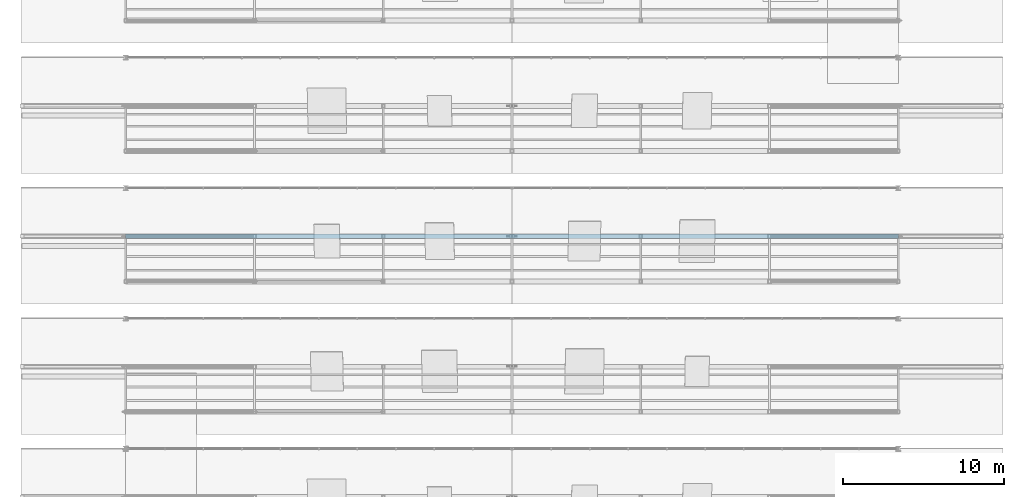
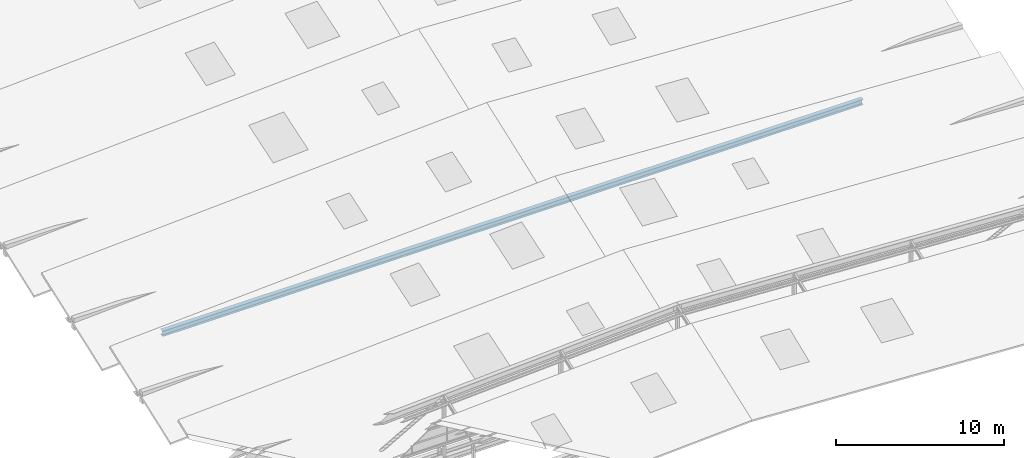
# One storey, part 44 of 141: 1 member.
"""IFC4 building model written with IfcOpenShell, lengths in metres."""

from ifc_helpers import new_model, si_unit, direction, frame, origin, origin_2d, place, context, subcontext, project, spatial, i_section, extrude, material, material_profile, profile_set, type_object, element, save


model = new_model("IFC4")

# Units and contexts
model_context = context("Model", 3, precision=1e-05, world=origin(), true_north=direction((0.0, 1.0)))
body_context = subcontext(model_context, "Body", "Model", "MODEL_VIEW")
ifc_project = project(units=[si_unit("LENGTHUNIT", "METRE"), si_unit("AREAUNIT", "SQUARE_METRE"), si_unit("VOLUMEUNIT", "CUBIC_METRE"), si_unit("PLANEANGLEUNIT", "RADIAN"), si_unit("MASSUNIT", "GRAM", prefix="KILO")], contexts=[model_context])

# Site, building, storey
site_placement = place(None, origin())
site = spatial("IfcSite", under=ifc_project, at=site_placement, CompositionType="ELEMENT")
building_placement = place(site_placement, origin())
building = spatial("IfcBuilding", under=site, at=building_placement, Name="Sundkrona Museum", CompositionType="ELEMENT")
storey_placement = place(building_placement, frame((0.0, 0.0, 34.0)))
storey = spatial("IfcBuildingStorey", under=building, at=storey_placement, Name="RF", CompositionType="ELEMENT", Elevation=34.0)

# Member
ifc_material = material(Name="Steel S355J2", Category="steel")
ifc_material_profile = material_profile(ifc_material, i_section(OverallWidth=0.300048828125, OverallDepth=0.39990234375, WebThickness=0.013427734375, FlangeThickness=0.02392578125, FilletRadius=0.027099609375, at=origin_2d()), Name="HEB 400")
ifc_profile_set = profile_set([ifc_material_profile], Name="Steel S355J2")
member_type = type_object("IfcMemberType", Name="TC-HEB400", PredefinedType="CHORD", material=ifc_profile_set)
member_placement = place(storey_placement, frame((120.0, 23.5, -0.25), z_axis=(1.0, 0.0, 0.0), x_axis=(0.0, 1.0, 0.0)))
element("IfcMember", 1, at=member_placement, inside=storey, type_object=member_type, Name="RFS-1 Sawtooth Truss 4 Continuous Bottom Tie Chord", PredefinedType="CHORD", context=body_context, shape_type="SweptSolid", body=[
    extrude(i_section(OverallWidth=0.300048828125, OverallDepth=0.39990234375, WebThickness=0.013427734375, FlangeThickness=0.02392578125, FilletRadius=0.027099609375, at=origin_2d()), origin(), (0.0, 0.0, 1.0), 48.0),
])

save(model, "model.ifc")
